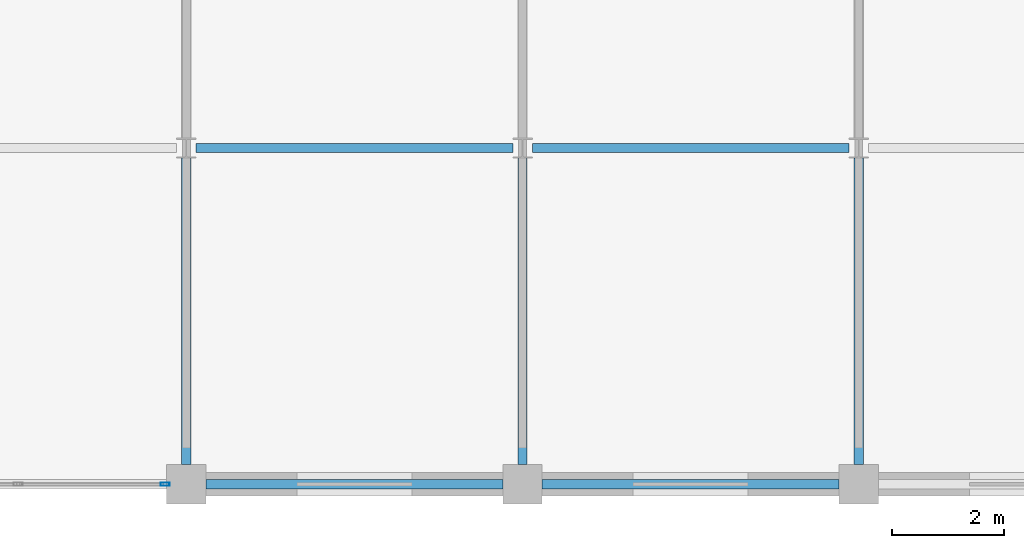
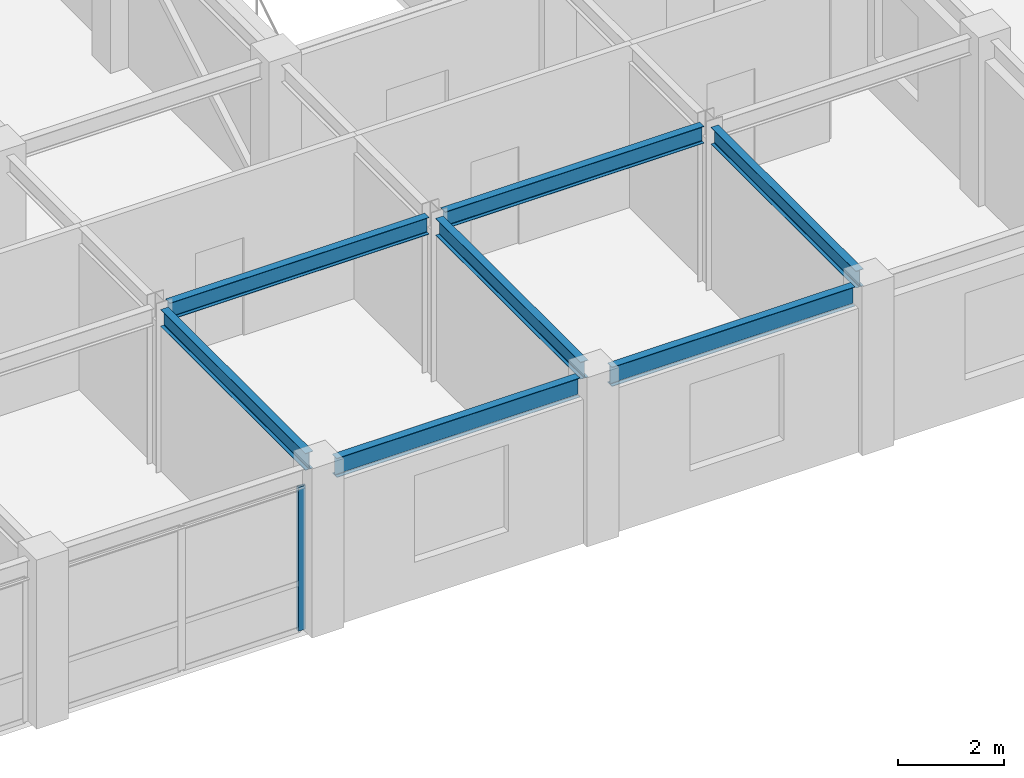
# One storey, part 8 of 15: 7 beams, 1 member, 1 element without a shape of its own.
"""IFC4 building model written with IfcOpenShell, lengths in metres."""

from ifc_helpers import new_model, si_unit, direction, frame, origin, origin_2d, place, context, subcontext, project, spatial, hollow_rectangle, i_section, extrude, material, layer, layer_set, material_profile, profile_set, type_object, element, aggregate, save


model = new_model("IFC4")

# Units and contexts
model_context = context("Model", 3, precision=1e-05, world=origin(), true_north=direction((0.0, 1.0)))
body_context = subcontext(model_context, "Body", "Model", "MODEL_VIEW")
ifc_project = project(units=[si_unit("LENGTHUNIT", "METRE"), si_unit("AREAUNIT", "SQUARE_METRE"), si_unit("VOLUMEUNIT", "CUBIC_METRE"), si_unit("PLANEANGLEUNIT", "RADIAN"), si_unit("MASSUNIT", "GRAM", prefix="KILO")], contexts=[model_context])

# Site, building, storey
site_placement = place(None, origin())
site = spatial("IfcSite", under=ifc_project, at=site_placement, CompositionType="ELEMENT")
building_placement = place(site_placement, origin())
building = spatial("IfcBuilding", under=site, at=building_placement, Name="Zlatovratsky Civic Hall", CompositionType="ELEMENT")
storey_placement = place(building_placement, frame((0.0, 0.0, 36.60009765625)))
storey = spatial("IfcBuildingStorey", under=building, at=storey_placement, Name="L09", CompositionType="ELEMENT", Elevation=36.60009765625)

# Beams
ifc_material_1 = material(Name="Steel S355", Category="steel")
ifc_material_profile_1 = material_profile(ifc_material_1, i_section(OverallWidth=0.169921875, OverallDepth=0.446044921875, WebThickness=0.007568359375, FlangeThickness=0.010986328125, FilletRadius=0.01611328125, at=origin_2d()), Name="45B1")
ifc_profile_set_1 = profile_set([ifc_material_profile_1], Name="Steel S355")
beam_type_1 = type_object("IfcBeamType", Name="Beam_Spandrel_45B1", PredefinedType="SPANDREL", material=ifc_profile_set_1)
for number, where, z_axis, x_axis, name in (
    (1, (90.35009765625, 72.0, 3.516845703125), (1.0, 0.0, 0.0), (0.0, 1.0, 0.0), "BM-4522"),
    (2, (96.35009765625, 72.0, 3.516845703125), (1.0, 0.0, 0.0), (0.0, 1.0, 0.0), "BM-4523"),
):
    element("IfcBeam", number, at=place(storey_placement, frame(where, z_axis=z_axis, x_axis=x_axis)), inside=storey, type_object=beam_type_1, Name=name, PredefinedType="SPANDREL", context=body_context, shape_type="SweptSolid", body=[
        extrude(i_section(OverallWidth=0.169921875, OverallDepth=0.446044921875, WebThickness=0.007568359375, FlangeThickness=0.010986328125, FilletRadius=0.01611328125, at=origin_2d()), origin(), (0.0, 0.0, 1.0), 5.2998046875),
    ])
ifc_material_profile_2 = material_profile(ifc_material_1, i_section(OverallWidth=0.1650390625, OverallDepth=0.39208984375, WebThickness=0.006591796875, FlangeThickness=0.009521484375, FilletRadius=0.014892578125, at=origin_2d()), Name="40B1")
ifc_profile_set_2 = profile_set([ifc_material_profile_2], Name="Steel S355")
beam_type_2 = type_object("IfcBeamType", Name="Beam_Tie_40B1", PredefinedType="BEAM", material=ifc_profile_set_2)
for number, where, z_axis, x_axis, name in (
    (3, (90.175048828125, 78.0, 3.5439453125), (1.0, 0.0, 0.0), (0.0, 1.0, 0.0), "BM-4530"),
    (4, (96.175048828125, 78.0, 3.5439453125), (1.0, 0.0, 0.0), (0.0, 1.0, 0.0), "BM-4531"),
):
    element("IfcBeam", number, at=place(storey_placement, frame(where, z_axis=z_axis, x_axis=x_axis)), inside=storey, type_object=beam_type_2, Name=name, PredefinedType="BEAM", context=body_context, shape_type="SweptSolid", body=[
        extrude(i_section(OverallWidth=0.1650390625, OverallDepth=0.39208984375, WebThickness=0.006591796875, FlangeThickness=0.009521484375, FilletRadius=0.014892578125, at=origin_2d()), origin(), (0.0, 0.0, 1.0), 5.64990234375),
    ])
for number, where, z_axis, x_axis, name in (
    (5, (90.0, 72.35009765625, 3.5439453125), (0.0, 1.0, 0.0), (-1.0, 0.0, 0.0), "BM-4588"),
    (6, (96.0, 72.35009765625, 3.5439453125), (0.0, 1.0, 0.0), (-1.0, 0.0, 0.0), "BM-4593"),
    (7, (102.0, 72.35009765625, 3.5439453125), (0.0, 1.0, 0.0), (-1.0, 0.0, 0.0), "BM-4598"),
):
    element("IfcBeam", number, at=place(storey_placement, frame(where, z_axis=z_axis, x_axis=x_axis)), inside=storey, type_object=beam_type_2, Name=name, PredefinedType="BEAM", context=body_context, shape_type="SweptSolid", body=[
        extrude(i_section(OverallWidth=0.1650390625, OverallDepth=0.39208984375, WebThickness=0.006591796875, FlangeThickness=0.009521484375, FilletRadius=0.014892578125, at=origin_2d()), origin(), (0.0, 0.0, 1.0), 5.474853515625),
    ])

# Curtain wall, member
ifc_material_2 = material(Name="Anodised bronze aluminium", Category="aluminium")
ifc_layer = layer(ifc_material_2, 0.159912109375)
ifc_layer_set = layer_set([ifc_layer], Name="Anodised bronze aluminium")
curtain_wall_type = type_object("IfcCurtainWallType", Name="CurtainWall_Bronze_5300x3320_21", PredefinedType="NOTDEFINED", material=ifc_layer_set)
curtain_wall_placement = place(storey_placement, origin())
curtain_wall = element("IfcCurtainWall", 8, at=curtain_wall_placement, inside=storey, type_object=curtain_wall_type, Name="CW-146", PredefinedType="NOTDEFINED")
ifc_material_profile_3 = material_profile(ifc_material_2, hollow_rectangle(XDim=0.06005859375, YDim=0.159912109375, WallThickness=0.00390625, at=origin_2d()), Name="ALU 60x160x4")
ifc_profile_set_3 = profile_set([ifc_material_profile_3], Name="Anodised bronze aluminium")
member_type = type_object("IfcMemberType", Name="CW_Mullion_60x160", PredefinedType="MULLION", material=ifc_profile_set_3)
member_placement = place(storey_placement, frame((89.6201171875, 72.0, 0.0), z_axis=(0.0, 0.0, 1.0), x_axis=(0.0, 1.0, 0.0)))
member = element("IfcMember", 9, at=member_placement, type_object=member_type, Name="CW-21 mullion 3", PredefinedType="MULLION", context=body_context, shape_type="SweptSolid", body=[
    extrude(hollow_rectangle(XDim=0.06005859375, YDim=0.159912109375, WallThickness=0.00390625, at=origin_2d()), origin(), (0.0, 0.0, 1.0), 3.31982421875),
])
aggregate(curtain_wall, [member])

save(model, "model.ifc")
